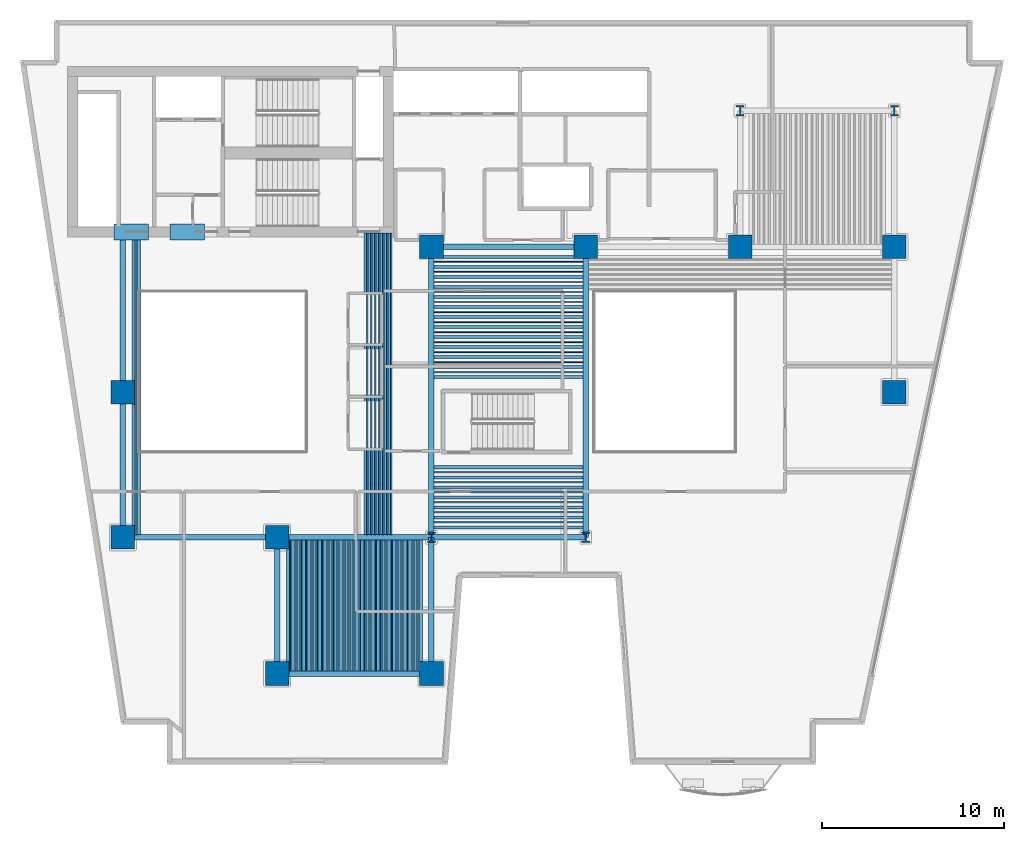
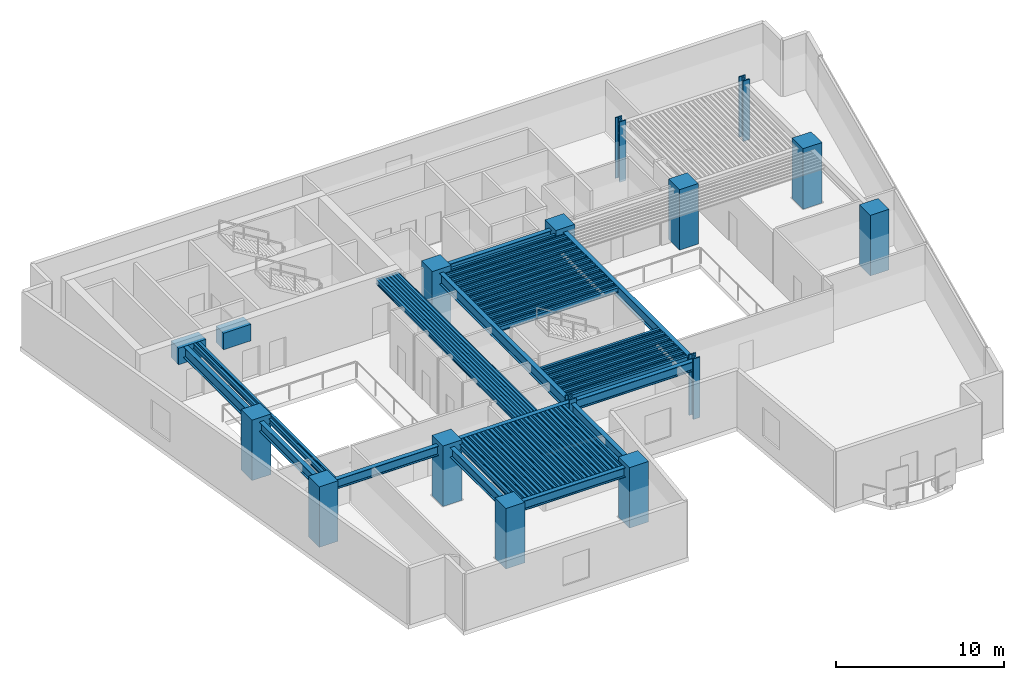
# One storey, part 1 of 11: 119 beams, 14 columns.
"""IFC4 building model written with IfcOpenShell, lengths in metres."""

from ifc_helpers import new_model, si_unit, direction, frame, origin, origin_2d, place, context, subcontext, project, spatial, rectangle, hollow_rectangle, i_section, extrude, material, material_profile, profile_set, type_object, element, save


model = new_model("IFC4")

# Units and contexts
model_context = context("Model", 3, precision=1e-05, world=origin(), true_north=direction((0.0, 1.0)))
body_context = subcontext(model_context, "Body", "Model", "MODEL_VIEW")
ifc_project = project(units=[si_unit("LENGTHUNIT", "METRE"), si_unit("AREAUNIT", "SQUARE_METRE"), si_unit("VOLUMEUNIT", "CUBIC_METRE"), si_unit("PLANEANGLEUNIT", "RADIAN"), si_unit("MASSUNIT", "GRAM", prefix="KILO")], contexts=[model_context])

# Site, building, storey
site_placement = place(None, origin())
site = spatial("IfcSite", under=ifc_project, at=site_placement, CompositionType="ELEMENT")
building_placement = place(site_placement, origin())
building = spatial("IfcBuilding", under=site, at=building_placement, Name="Caeloran Harvest Quay", CompositionType="ELEMENT")
storey_placement = place(building_placement, frame((0.0, 0.0, 66.60009765625)))
storey = spatial("IfcBuildingStorey", under=building, at=storey_placement, Name="L15", CompositionType="ELEMENT", Elevation=66.60009765625)

# Columns
ifc_material_1 = material(Name="Concrete C80/95", Category="concrete")
ifc_material_profile_1 = material_profile(ifc_material_1, rectangle(XDim=1.300048828125, YDim=1.300048828125, at=origin_2d()), Name="RC 1300x1300")
ifc_profile_set_1 = profile_set([ifc_material_profile_1], Name="Concrete C80/95")
column_type_1 = type_object("IfcColumnType", Name="COL-MC-2-RC_1300x1300", PredefinedType="COLUMN", material=ifc_profile_set_1)
for number, where, z_axis, x_axis, name in (
    (1, (8.5, 15.0, 0.0), (0.0, 0.0, 1.0), (1.0, 0.0, 0.0), "L15 Structural Column (8.5, 15.0)"),
    (2, (8.5, 23.0, 0.0), (0.0, 0.0, 1.0), (1.0, 0.0, 0.0), "L15 Structural Column (8.5, 23.0)"),
    (3, (17.0, 7.5, 0.0), (0.0, 0.0, 1.0), (1.0, 0.0, 0.0), "L15 Structural Column (17.0, 7.5)"),
    (4, (17.0, 15.0, 0.0), (0.0, 0.0, 1.0), (1.0, 0.0, 0.0), "L15 Structural Column (17.0, 15.0)"),
    (5, (25.5, 7.5, 0.0), (0.0, 0.0, 1.0), (1.0, 0.0, 0.0), "L15 Structural Column (25.5, 7.5)"),
    (6, (25.5, 31.0, 0.0), (0.0, 0.0, 1.0), (1.0, 0.0, 0.0), "L15 Structural Column (25.5, 31.0)"),
    (7, (34.0, 31.0, 0.0), (0.0, 0.0, 1.0), (1.0, 0.0, 0.0), "L15 Structural Column (34.0, 31.0)"),
    (8, (42.5, 31.0, 0.0), (0.0, 0.0, 1.0), (1.0, 0.0, 0.0), "L15 Structural Column (42.5, 31.0)"),
    (9, (51.0, 23.0, 0.0), (0.0, 0.0, 1.0), (1.0, 0.0, 0.0), "L15 Structural Column (51.0, 23.0)"),
    (10, (51.0, 31.0, 0.0), (0.0, 0.0, 1.0), (1.0, 0.0, 0.0), "L15 Structural Column (51.0, 31.0)"),
):
    element("IfcColumn", number, at=place(storey_placement, frame(where, z_axis=z_axis, x_axis=x_axis)), inside=storey, type_object=column_type_1, Name=name, PredefinedType="COLUMN", context=body_context, shape_type="SweptSolid", body=[
        extrude(rectangle(XDim=1.300048828125, YDim=1.300048828125, at=origin_2d()), origin(), (0.0, 0.0, 1.0), 4.39990234375),
    ])
ifc_material_2 = material(Name="Steel HISTAR 460", Category="steel")
ifc_material_profile_2 = material_profile(ifc_material_2, i_section(OverallWidth=0.4541015625, OverallDepth=0.569091796875, WebThickness=0.077880859375, FlangeThickness=0.080078125, FilletRadius=0.014892578125, at=origin_2d()), Name="HD 400x1086")
ifc_profile_set_2 = profile_set([ifc_material_profile_2], Name="Steel HISTAR 460")
column_type_2 = type_object("IfcColumnType", Name="COL-SC-1-HD_400x1086", PredefinedType="COLUMN", material=ifc_profile_set_2)
for number, where, z_axis, x_axis, name in (
    (11, (25.5, 15.0, 0.0), (0.0, 0.0, 1.0), (1.0, 0.0, 0.0), "L15 Structural Column (25.5, 15.0)"),
    (12, (34.0, 15.0, 0.0), (0.0, 0.0, 1.0), (1.0, 0.0, 0.0), "L15 Structural Column (34.0, 15.0)"),
    (13, (42.5, 38.5, 0.0), (0.0, 0.0, 1.0), (1.0, 0.0, 0.0), "L15 Structural Column (42.5, 38.5)"),
    (14, (51.0, 38.5, 0.0), (0.0, 0.0, 1.0), (1.0, 0.0, 0.0), "L15 Structural Column (51.0, 38.5)"),
):
    element("IfcColumn", number, at=place(storey_placement, frame(where, z_axis=z_axis, x_axis=x_axis)), inside=storey, type_object=column_type_2, Name=name, PredefinedType="COLUMN", context=body_context, shape_type="SweptSolid", body=[
        extrude(i_section(OverallWidth=0.4541015625, OverallDepth=0.569091796875, WebThickness=0.077880859375, FlangeThickness=0.080078125, FilletRadius=0.014892578125, at=origin_2d()), origin(), (0.0, 0.0, 1.0), 4.39990234375),
    ])

# Beams
ifc_material_profile_3 = material_profile(ifc_material_1, rectangle(XDim=0.89990234375, YDim=1.199951171875, at=origin_2d()), Name="RC 900x1200")
ifc_profile_set_3 = profile_set([ifc_material_profile_3], Name="Concrete C80/95")
beam_type_1 = type_object("IfcBeamType", Name="BM-CB-1-RC_900x1200", PredefinedType="LINTEL", material=ifc_profile_set_3)
for number, where, z_axis, x_axis, name in (
    (15, (8.0, 31.824951171875, 3.5), (1.0, 0.0, 0.0), (0.0, 1.0, 0.0), "L15 Core Coupling Beam 1"),
    (16, (11.10009765625, 31.824951171875, 3.5), (1.0, 0.0, 0.0), (0.0, 1.0, 0.0), "L15 Core Coupling Beam 2"),
):
    element("IfcBeam", number, at=place(storey_placement, frame(where, z_axis=z_axis, x_axis=x_axis)), inside=storey, type_object=beam_type_1, Name=name, PredefinedType="LINTEL", context=body_context, shape_type="SweptSolid", body=[
        extrude(rectangle(XDim=0.89990234375, YDim=1.199951171875, at=origin_2d()), origin(), (0.0, 0.0, 1.0), 1.89990234375),
    ])
ifc_material_3 = material(Name="Steel S355J2", Category="steel")
ifc_material_profile_4 = material_profile(ifc_material_3, i_section(OverallWidth=0.300048828125, OverallDepth=0.800048828125, WebThickness=0.017578125, FlangeThickness=0.032958984375, FilletRadius=0.030029296875, at=origin_2d()), Name="HE 800 B")
ifc_profile_set_4 = profile_set([ifc_material_profile_4], Name="Steel S355J2")
beam_type_2 = type_object("IfcBeamType", Name="BM-PG-1-HE_800_B", PredefinedType="BEAM", material=ifc_profile_set_4)
beam_1_placement = place(storey_placement, frame((8.5, 23.0, 3.699951171875), z_axis=(0.0, 1.0, 0.0), x_axis=(-1.0, 0.0, 0.0)))
element("IfcBeam", 17, at=beam_1_placement, inside=storey, type_object=beam_type_2, Name="L15 Core South Tie Girder X=8.5", PredefinedType="BEAM", context=body_context, shape_type="SweptSolid", body=[
    extrude(i_section(OverallWidth=0.300048828125, OverallDepth=0.800048828125, WebThickness=0.017578125, FlangeThickness=0.032958984375, FilletRadius=0.030029296875, at=origin_2d()), origin(), (0.0, 0.0, 1.0), 8.77490234375),
])
for number, where, z_axis, x_axis, name in (
    (18, (25.5, 15.0, 3.699951171875), (0.0, 1.0, 0.0), (-1.0, 0.0, 0.0), "L15 Primary North-South Girder X=25.5"),
    (19, (34.0, 15.0, 3.699951171875), (0.0, 1.0, 0.0), (-1.0, 0.0, 0.0), "L15 Primary North-South Girder X=34.0"),
):
    element("IfcBeam", number, at=place(storey_placement, frame(where, z_axis=z_axis, x_axis=x_axis)), inside=storey, type_object=beam_type_2, Name=name, PredefinedType="BEAM", context=body_context, shape_type="SweptSolid", body=[
        extrude(i_section(OverallWidth=0.300048828125, OverallDepth=0.800048828125, WebThickness=0.017578125, FlangeThickness=0.032958984375, FilletRadius=0.030029296875, at=origin_2d()), origin(), (0.0, 0.0, 1.0), 16.0),
    ])
ifc_material_profile_5 = material_profile(ifc_material_3, i_section(OverallWidth=0.300048828125, OverallDepth=0.699951171875, WebThickness=0.01708984375, FlangeThickness=0.031982421875, FilletRadius=0.027099609375, at=origin_2d()), Name="HE 700 B")
ifc_profile_set_5 = profile_set([ifc_material_profile_5], Name="Steel S355J2")
beam_type_3 = type_object("IfcBeamType", Name="BM-PG-2-HE_700_B", PredefinedType="BEAM", material=ifc_profile_set_5)
for number, where, z_axis, x_axis, name in (
    (20, (17.0, 7.5, 3.75), (1.0, 0.0, 0.0), (0.0, 1.0, 0.0), "L15 Primary East-West Girder Y=7.5"),
    (21, (8.5, 15.0, 3.75), (1.0, 0.0, 0.0), (0.0, 1.0, 0.0), "L15 Primary East-West Girder Y=15.0"),
    (22, (17.0, 15.0, 3.75), (1.0, 0.0, 0.0), (0.0, 1.0, 0.0), "L15 Primary East-West Girder Y=15.0"),
    (23, (25.5, 15.0, 3.75), (1.0, 0.0, 0.0), (0.0, 1.0, 0.0), "L15 Primary East-West Girder Y=15.0"),
    (24, (25.5, 31.0, 3.75), (1.0, 0.0, 0.0), (0.0, 1.0, 0.0), "L15 Primary East-West Girder Y=31.0"),
):
    element("IfcBeam", number, at=place(storey_placement, frame(where, z_axis=z_axis, x_axis=x_axis)), inside=storey, type_object=beam_type_3, Name=name, PredefinedType="BEAM", context=body_context, shape_type="SweptSolid", body=[
        extrude(i_section(OverallWidth=0.300048828125, OverallDepth=0.699951171875, WebThickness=0.01708984375, FlangeThickness=0.031982421875, FilletRadius=0.027099609375, at=origin_2d()), origin(), (0.0, 0.0, 1.0), 8.5),
    ])
beam_2_placement = place(storey_placement, frame((8.5, 15.0, 3.75), z_axis=(0.0, 1.0, 0.0), x_axis=(-1.0, 0.0, 0.0)))
element("IfcBeam", 25, at=beam_2_placement, inside=storey, type_object=beam_type_3, Name="L15 Primary North-South Girder X=8.5", PredefinedType="BEAM", context=body_context, shape_type="SweptSolid", body=[
    extrude(i_section(OverallWidth=0.300048828125, OverallDepth=0.699951171875, WebThickness=0.01708984375, FlangeThickness=0.031982421875, FilletRadius=0.027099609375, at=origin_2d()), origin(), (0.0, 0.0, 1.0), 8.0),
])
for number, where, z_axis, x_axis, name in (
    (26, (17.0, 7.5, 3.75), (0.0, 1.0, 0.0), (-1.0, 0.0, 0.0), "L15 Primary North-South Girder X=17.0"),
    (27, (25.5, 7.5, 3.75), (0.0, 1.0, 0.0), (-1.0, 0.0, 0.0), "L15 Primary North-South Girder X=25.5"),
):
    element("IfcBeam", number, at=place(storey_placement, frame(where, z_axis=z_axis, x_axis=x_axis)), inside=storey, type_object=beam_type_3, Name=name, PredefinedType="BEAM", context=body_context, shape_type="SweptSolid", body=[
        extrude(i_section(OverallWidth=0.300048828125, OverallDepth=0.699951171875, WebThickness=0.01708984375, FlangeThickness=0.031982421875, FilletRadius=0.027099609375, at=origin_2d()), origin(), (0.0, 0.0, 1.0), 7.5),
    ])
ifc_material_profile_6 = material_profile(ifc_material_3, i_section(OverallWidth=0.169921875, OverallDepth=0.360107421875, WebThickness=0.008056640625, FlangeThickness=0.0126953125, FilletRadius=0.01806640625, at=origin_2d()), Name="IPE 360")
ifc_profile_set_6 = profile_set([ifc_material_profile_6], Name="Steel S355J2")
beam_type_4 = type_object("IfcBeamType", Name="BM-SB-5-IPE_360", PredefinedType="JOIST", material=ifc_profile_set_6)
for number, where, z_axis, x_axis, name in (
    (28, (17.586181640625, 7.64501953125, 3.919921875), (0.0, 1.0, 0.0), (-1.0, 0.0, 0.0), "L15 Secondary Composite Joist"),
    (29, (17.87939453125, 7.64501953125, 3.919921875), (0.0, 1.0, 0.0), (-1.0, 0.0, 0.0), "L15 Secondary Composite Joist"),
    (30, (18.17236328125, 7.64501953125, 3.919921875), (0.0, 1.0, 0.0), (-1.0, 0.0, 0.0), "L15 Secondary Composite Joist"),
    (31, (18.465576171875, 7.64501953125, 3.919921875), (0.0, 1.0, 0.0), (-1.0, 0.0, 0.0), "L15 Secondary Composite Joist"),
    (32, (18.758544921875, 7.64501953125, 3.919921875), (0.0, 1.0, 0.0), (-1.0, 0.0, 0.0), "L15 Secondary Composite Joist"),
    (33, (19.0517578125, 7.64501953125, 3.919921875), (0.0, 1.0, 0.0), (-1.0, 0.0, 0.0), "L15 Secondary Composite Joist"),
    (34, (19.3447265625, 7.64501953125, 3.919921875), (0.0, 1.0, 0.0), (-1.0, 0.0, 0.0), "L15 Secondary Composite Joist"),
    (35, (19.637939453125, 7.64501953125, 3.919921875), (0.0, 1.0, 0.0), (-1.0, 0.0, 0.0), "L15 Secondary Composite Joist"),
    (36, (19.930908203125, 7.64501953125, 3.919921875), (0.0, 1.0, 0.0), (-1.0, 0.0, 0.0), "L15 Secondary Composite Joist"),
    (37, (20.22412109375, 7.64501953125, 3.919921875), (0.0, 1.0, 0.0), (-1.0, 0.0, 0.0), "L15 Secondary Composite Joist"),
    (38, (20.51708984375, 7.64501953125, 3.919921875), (0.0, 1.0, 0.0), (-1.0, 0.0, 0.0), "L15 Secondary Composite Joist"),
    (39, (20.810302734375, 7.64501953125, 3.919921875), (0.0, 1.0, 0.0), (-1.0, 0.0, 0.0), "L15 Secondary Composite Joist"),
    (40, (21.103515625, 7.64501953125, 3.919921875), (0.0, 1.0, 0.0), (-1.0, 0.0, 0.0), "L15 Secondary Composite Joist"),
    (41, (21.396484375, 7.64501953125, 3.919921875), (0.0, 1.0, 0.0), (-1.0, 0.0, 0.0), "L15 Secondary Composite Joist"),
    (42, (21.689697265625, 7.64501953125, 3.919921875), (0.0, 1.0, 0.0), (-1.0, 0.0, 0.0), "L15 Secondary Composite Joist"),
    (43, (21.98291015625, 7.64501953125, 3.919921875), (0.0, 1.0, 0.0), (-1.0, 0.0, 0.0), "L15 Secondary Composite Joist"),
    (44, (22.27587890625, 7.64501953125, 3.919921875), (0.0, 1.0, 0.0), (-1.0, 0.0, 0.0), "L15 Secondary Composite Joist"),
    (45, (22.569091796875, 7.64501953125, 3.919921875), (0.0, 1.0, 0.0), (-1.0, 0.0, 0.0), "L15 Secondary Composite Joist"),
    (46, (22.862060546875, 7.64501953125, 3.919921875), (0.0, 1.0, 0.0), (-1.0, 0.0, 0.0), "L15 Secondary Composite Joist"),
    (47, (23.1552734375, 7.64501953125, 3.919921875), (0.0, 1.0, 0.0), (-1.0, 0.0, 0.0), "L15 Secondary Composite Joist"),
    (48, (23.4482421875, 7.64501953125, 3.919921875), (0.0, 1.0, 0.0), (-1.0, 0.0, 0.0), "L15 Secondary Composite Joist"),
    (49, (23.741455078125, 7.64501953125, 3.919921875), (0.0, 1.0, 0.0), (-1.0, 0.0, 0.0), "L15 Secondary Composite Joist"),
    (50, (24.034423828125, 7.64501953125, 3.919921875), (0.0, 1.0, 0.0), (-1.0, 0.0, 0.0), "L15 Secondary Composite Joist"),
    (51, (24.32763671875, 7.64501953125, 3.919921875), (0.0, 1.0, 0.0), (-1.0, 0.0, 0.0), "L15 Secondary Composite Joist"),
    (52, (24.62060546875, 7.64501953125, 3.919921875), (0.0, 1.0, 0.0), (-1.0, 0.0, 0.0), "L15 Secondary Composite Joist"),
    (53, (24.913818359375, 7.64501953125, 3.919921875), (0.0, 1.0, 0.0), (-1.0, 0.0, 0.0), "L15 Secondary Composite Joist"),
):
    element("IfcBeam", number, at=place(storey_placement, frame(where, z_axis=z_axis, x_axis=x_axis)), inside=storey, type_object=beam_type_4, Name=name, PredefinedType="JOIST", context=body_context, shape_type="SweptSolid", body=[
        extrude(i_section(OverallWidth=0.169921875, OverallDepth=0.360107421875, WebThickness=0.008056640625, FlangeThickness=0.0126953125, FilletRadius=0.01806640625, at=origin_2d()), origin(), (0.0, 0.0, 1.0), 7.2099609375),
    ])
for number, where, z_axis, x_axis, name in (
    (54, (9.086181640625, 15.14501953125, 3.919921875), (0.0, 1.0, 0.0), (-1.0, 0.0, 0.0), "L15 Secondary Composite Joist"),
    (55, (9.37939453125, 15.14501953125, 3.919921875), (0.0, 1.0, 0.0), (-1.0, 0.0, 0.0), "L15 Secondary Composite Joist"),
    (56, (21.855224609375, 15.14501953125, 3.919921875), (0.0, 1.0, 0.0), (-1.0, 0.0, 0.0), "L15 Secondary Composite Joist"),
    (57, (22.075927734375, 15.14501953125, 3.919921875), (0.0, 1.0, 0.0), (-1.0, 0.0, 0.0), "L15 Secondary Composite Joist"),
    (58, (22.296630859375, 15.14501953125, 3.919921875), (0.0, 1.0, 0.0), (-1.0, 0.0, 0.0), "L15 Secondary Composite Joist"),
    (59, (22.51708984375, 15.14501953125, 3.919921875), (0.0, 1.0, 0.0), (-1.0, 0.0, 0.0), "L15 Secondary Composite Joist"),
    (60, (22.73779296875, 15.14501953125, 3.919921875), (0.0, 1.0, 0.0), (-1.0, 0.0, 0.0), "L15 Secondary Composite Joist"),
    (61, (22.95849609375, 15.14501953125, 3.919921875), (0.0, 1.0, 0.0), (-1.0, 0.0, 0.0), "L15 Secondary Composite Joist"),
    (62, (23.17919921875, 15.14501953125, 3.919921875), (0.0, 1.0, 0.0), (-1.0, 0.0, 0.0), "L15 Secondary Composite Joist"),
):
    element("IfcBeam", number, at=place(storey_placement, frame(where, z_axis=z_axis, x_axis=x_axis)), inside=storey, type_object=beam_type_4, Name=name, PredefinedType="JOIST", context=body_context, shape_type="SweptSolid", body=[
        extrude(i_section(OverallWidth=0.169921875, OverallDepth=0.360107421875, WebThickness=0.008056640625, FlangeThickness=0.0126953125, FilletRadius=0.01806640625, at=origin_2d()), origin(), (0.0, 0.0, 1.0), 16.6298828125),
    ])
for number, where, z_axis, x_axis, name in (
    (63, (25.64501953125, 15.5517578125, 3.919921875), (1.0, 0.0, 0.0), (0.0, 1.0, 0.0), "L15 Secondary East-West Composite Joist"),
    (64, (25.64501953125, 16.103515625, 3.919921875), (1.0, 0.0, 0.0), (0.0, 1.0, 0.0), "L15 Secondary East-West Composite Joist"),
    (65, (25.64501953125, 16.6552734375, 3.919921875), (1.0, 0.0, 0.0), (0.0, 1.0, 0.0), "L15 Secondary East-West Composite Joist"),
    (66, (25.64501953125, 17.206787109375, 3.919921875), (1.0, 0.0, 0.0), (0.0, 1.0, 0.0), "L15 Secondary East-West Composite Joist"),
    (67, (25.64501953125, 17.758544921875, 3.919921875), (1.0, 0.0, 0.0), (0.0, 1.0, 0.0), "L15 Secondary East-West Composite Joist"),
    (68, (25.64501953125, 18.310302734375, 3.919921875), (1.0, 0.0, 0.0), (0.0, 1.0, 0.0), "L15 Secondary East-West Composite Joist"),
    (69, (25.64501953125, 18.862060546875, 3.919921875), (1.0, 0.0, 0.0), (0.0, 1.0, 0.0), "L15 Secondary East-West Composite Joist"),
    (70, (25.64501953125, 23.82763671875, 3.919921875), (1.0, 0.0, 0.0), (0.0, 1.0, 0.0), "L15 Secondary East-West Composite Joist"),
    (71, (25.64501953125, 24.37939453125, 3.919921875), (1.0, 0.0, 0.0), (0.0, 1.0, 0.0), "L15 Secondary East-West Composite Joist"),
    (72, (25.64501953125, 24.930908203125, 3.919921875), (1.0, 0.0, 0.0), (0.0, 1.0, 0.0), "L15 Secondary East-West Composite Joist"),
    (73, (25.64501953125, 25.48291015625, 3.919921875), (1.0, 0.0, 0.0), (0.0, 1.0, 0.0), "L15 Secondary East-West Composite Joist"),
    (74, (25.64501953125, 26.034423828125, 3.919921875), (1.0, 0.0, 0.0), (0.0, 1.0, 0.0), "L15 Secondary East-West Composite Joist"),
    (75, (25.64501953125, 26.586181640625, 3.919921875), (1.0, 0.0, 0.0), (0.0, 1.0, 0.0), "L15 Secondary East-West Composite Joist"),
    (76, (25.64501953125, 27.137939453125, 3.919921875), (1.0, 0.0, 0.0), (0.0, 1.0, 0.0), "L15 Secondary East-West Composite Joist"),
    (77, (25.64501953125, 27.689697265625, 3.919921875), (1.0, 0.0, 0.0), (0.0, 1.0, 0.0), "L15 Secondary East-West Composite Joist"),
    (78, (25.64501953125, 28.241455078125, 3.919921875), (1.0, 0.0, 0.0), (0.0, 1.0, 0.0), "L15 Secondary East-West Composite Joist"),
    (79, (25.64501953125, 28.793212890625, 3.919921875), (1.0, 0.0, 0.0), (0.0, 1.0, 0.0), "L15 Secondary East-West Composite Joist"),
    (80, (25.64501953125, 29.3447265625, 3.919921875), (1.0, 0.0, 0.0), (0.0, 1.0, 0.0), "L15 Secondary East-West Composite Joist"),
    (81, (25.64501953125, 29.896484375, 3.919921875), (1.0, 0.0, 0.0), (0.0, 1.0, 0.0), "L15 Secondary East-West Composite Joist"),
    (82, (25.64501953125, 30.4482421875, 3.919921875), (1.0, 0.0, 0.0), (0.0, 1.0, 0.0), "L15 Secondary East-West Composite Joist"),
):
    element("IfcBeam", number, at=place(storey_placement, frame(where, z_axis=z_axis, x_axis=x_axis)), inside=storey, type_object=beam_type_4, Name=name, PredefinedType="JOIST", context=body_context, shape_type="SweptSolid", body=[
        extrude(i_section(OverallWidth=0.169921875, OverallDepth=0.360107421875, WebThickness=0.008056640625, FlangeThickness=0.0126953125, FilletRadius=0.01806640625, at=origin_2d()), origin(), (0.0, 0.0, 1.0), 8.2099609375),
    ])
ifc_material_profile_7 = material_profile(ifc_material_3, hollow_rectangle(XDim=0.080078125, YDim=0.199951171875, WallThickness=0.006103515625, InnerFilletRadius=0.006103515625, OuterFilletRadius=0.009033203125, at=origin_2d()), Name="RHS 200x80x6")
ifc_profile_set_7 = profile_set([ifc_material_profile_7], Name="Steel S355J2")
beam_type_5 = type_object("IfcBeamType", Name="BM-SB-7-RHS_200x80x6", PredefinedType="JOIST", material=ifc_profile_set_7)
for number, where, z_axis, x_axis, name in (
    (83, (17.73291015625, 7.64501953125, 4.0), (0.0, 1.0, 0.0), (-1.0, 0.0, 0.0), "L15 Secondary Composite Joist"),
    (84, (18.02587890625, 7.64501953125, 4.0), (0.0, 1.0, 0.0), (-1.0, 0.0, 0.0), "L15 Secondary Composite Joist"),
    (85, (18.319091796875, 7.64501953125, 4.0), (0.0, 1.0, 0.0), (-1.0, 0.0, 0.0), "L15 Secondary Composite Joist"),
    (86, (18.612060546875, 7.64501953125, 4.0), (0.0, 1.0, 0.0), (-1.0, 0.0, 0.0), "L15 Secondary Composite Joist"),
    (87, (18.9052734375, 7.64501953125, 4.0), (0.0, 1.0, 0.0), (-1.0, 0.0, 0.0), "L15 Secondary Composite Joist"),
    (88, (19.1982421875, 7.64501953125, 4.0), (0.0, 1.0, 0.0), (-1.0, 0.0, 0.0), "L15 Secondary Composite Joist"),
    (89, (19.491455078125, 7.64501953125, 4.0), (0.0, 1.0, 0.0), (-1.0, 0.0, 0.0), "L15 Secondary Composite Joist"),
    (90, (19.784423828125, 7.64501953125, 4.0), (0.0, 1.0, 0.0), (-1.0, 0.0, 0.0), "L15 Secondary Composite Joist"),
    (91, (20.07763671875, 7.64501953125, 4.0), (0.0, 1.0, 0.0), (-1.0, 0.0, 0.0), "L15 Secondary Composite Joist"),
    (92, (20.37060546875, 7.64501953125, 4.0), (0.0, 1.0, 0.0), (-1.0, 0.0, 0.0), "L15 Secondary Composite Joist"),
    (93, (20.663818359375, 7.64501953125, 4.0), (0.0, 1.0, 0.0), (-1.0, 0.0, 0.0), "L15 Secondary Composite Joist"),
    (94, (20.956787109375, 7.64501953125, 4.0), (0.0, 1.0, 0.0), (-1.0, 0.0, 0.0), "L15 Secondary Composite Joist"),
    (95, (21.25, 7.64501953125, 4.0), (0.0, 1.0, 0.0), (-1.0, 0.0, 0.0), "L15 Secondary Composite Joist"),
    (96, (21.543212890625, 7.64501953125, 4.0), (0.0, 1.0, 0.0), (-1.0, 0.0, 0.0), "L15 Secondary Composite Joist"),
    (97, (21.836181640625, 7.64501953125, 4.0), (0.0, 1.0, 0.0), (-1.0, 0.0, 0.0), "L15 Secondary Composite Joist"),
    (98, (22.12939453125, 7.64501953125, 4.0), (0.0, 1.0, 0.0), (-1.0, 0.0, 0.0), "L15 Secondary Composite Joist"),
    (99, (22.42236328125, 7.64501953125, 4.0), (0.0, 1.0, 0.0), (-1.0, 0.0, 0.0), "L15 Secondary Composite Joist"),
    (100, (22.715576171875, 7.64501953125, 4.0), (0.0, 1.0, 0.0), (-1.0, 0.0, 0.0), "L15 Secondary Composite Joist"),
    (101, (23.008544921875, 7.64501953125, 4.0), (0.0, 1.0, 0.0), (-1.0, 0.0, 0.0), "L15 Secondary Composite Joist"),
    (102, (23.3017578125, 7.64501953125, 4.0), (0.0, 1.0, 0.0), (-1.0, 0.0, 0.0), "L15 Secondary Composite Joist"),
    (103, (23.5947265625, 7.64501953125, 4.0), (0.0, 1.0, 0.0), (-1.0, 0.0, 0.0), "L15 Secondary Composite Joist"),
    (104, (23.887939453125, 7.64501953125, 4.0), (0.0, 1.0, 0.0), (-1.0, 0.0, 0.0), "L15 Secondary Composite Joist"),
    (105, (24.180908203125, 7.64501953125, 4.0), (0.0, 1.0, 0.0), (-1.0, 0.0, 0.0), "L15 Secondary Composite Joist"),
    (106, (24.47412109375, 7.64501953125, 4.0), (0.0, 1.0, 0.0), (-1.0, 0.0, 0.0), "L15 Secondary Composite Joist"),
    (107, (24.76708984375, 7.64501953125, 4.0), (0.0, 1.0, 0.0), (-1.0, 0.0, 0.0), "L15 Secondary Composite Joist"),
):
    element("IfcBeam", number, at=place(storey_placement, frame(where, z_axis=z_axis, x_axis=x_axis)), inside=storey, type_object=beam_type_5, Name=name, PredefinedType="JOIST", context=body_context, shape_type="SweptSolid", body=[
        extrude(hollow_rectangle(XDim=0.080078125, YDim=0.199951171875, WallThickness=0.006103515625, InnerFilletRadius=0.006103515625, OuterFilletRadius=0.009033203125, at=origin_2d()), origin(), (0.0, 0.0, 1.0), 7.2099609375),
    ])
for number, where, z_axis, x_axis, name in (
    (108, (9.23291015625, 15.14501953125, 4.0), (0.0, 1.0, 0.0), (-1.0, 0.0, 0.0), "L15 Secondary Composite Joist"),
    (109, (21.965576171875, 15.14501953125, 4.0), (0.0, 1.0, 0.0), (-1.0, 0.0, 0.0), "L15 Secondary Composite Joist"),
    (110, (22.186279296875, 15.14501953125, 4.0), (0.0, 1.0, 0.0), (-1.0, 0.0, 0.0), "L15 Secondary Composite Joist"),
    (111, (22.406982421875, 15.14501953125, 4.0), (0.0, 1.0, 0.0), (-1.0, 0.0, 0.0), "L15 Secondary Composite Joist"),
    (112, (22.627685546875, 15.14501953125, 4.0), (0.0, 1.0, 0.0), (-1.0, 0.0, 0.0), "L15 Secondary Composite Joist"),
    (113, (22.848388671875, 15.14501953125, 4.0), (0.0, 1.0, 0.0), (-1.0, 0.0, 0.0), "L15 Secondary Composite Joist"),
    (114, (23.069091796875, 15.14501953125, 4.0), (0.0, 1.0, 0.0), (-1.0, 0.0, 0.0), "L15 Secondary Composite Joist"),
    (115, (23.289794921875, 15.14501953125, 4.0), (0.0, 1.0, 0.0), (-1.0, 0.0, 0.0), "L15 Secondary Composite Joist"),
):
    element("IfcBeam", number, at=place(storey_placement, frame(where, z_axis=z_axis, x_axis=x_axis)), inside=storey, type_object=beam_type_5, Name=name, PredefinedType="JOIST", context=body_context, shape_type="SweptSolid", body=[
        extrude(hollow_rectangle(XDim=0.080078125, YDim=0.199951171875, WallThickness=0.006103515625, InnerFilletRadius=0.006103515625, OuterFilletRadius=0.009033203125, at=origin_2d()), origin(), (0.0, 0.0, 1.0), 16.6298828125),
    ])
for number, where, z_axis, x_axis, name in (
    (116, (25.64501953125, 15.82763671875, 4.0), (1.0, 0.0, 0.0), (0.0, 1.0, 0.0), "L15 Secondary East-West Composite Joist"),
    (117, (25.64501953125, 16.37939453125, 4.0), (1.0, 0.0, 0.0), (0.0, 1.0, 0.0), "L15 Secondary East-West Composite Joist"),
    (118, (25.64501953125, 16.930908203125, 4.0), (1.0, 0.0, 0.0), (0.0, 1.0, 0.0), "L15 Secondary East-West Composite Joist"),
    (119, (25.64501953125, 17.48291015625, 4.0), (1.0, 0.0, 0.0), (0.0, 1.0, 0.0), "L15 Secondary East-West Composite Joist"),
    (120, (25.64501953125, 18.034423828125, 4.0), (1.0, 0.0, 0.0), (0.0, 1.0, 0.0), "L15 Secondary East-West Composite Joist"),
    (121, (25.64501953125, 18.586181640625, 4.0), (1.0, 0.0, 0.0), (0.0, 1.0, 0.0), "L15 Secondary East-West Composite Joist"),
    (122, (25.64501953125, 24.103515625, 4.0), (1.0, 0.0, 0.0), (0.0, 1.0, 0.0), "L15 Secondary East-West Composite Joist"),
    (123, (25.64501953125, 24.6552734375, 4.0), (1.0, 0.0, 0.0), (0.0, 1.0, 0.0), "L15 Secondary East-West Composite Joist"),
    (124, (25.64501953125, 25.206787109375, 4.0), (1.0, 0.0, 0.0), (0.0, 1.0, 0.0), "L15 Secondary East-West Composite Joist"),
    (125, (25.64501953125, 25.758544921875, 4.0), (1.0, 0.0, 0.0), (0.0, 1.0, 0.0), "L15 Secondary East-West Composite Joist"),
    (126, (25.64501953125, 26.310302734375, 4.0), (1.0, 0.0, 0.0), (0.0, 1.0, 0.0), "L15 Secondary East-West Composite Joist"),
    (127, (25.64501953125, 26.862060546875, 4.0), (1.0, 0.0, 0.0), (0.0, 1.0, 0.0), "L15 Secondary East-West Composite Joist"),
    (128, (25.64501953125, 27.413818359375, 4.0), (1.0, 0.0, 0.0), (0.0, 1.0, 0.0), "L15 Secondary East-West Composite Joist"),
    (129, (25.64501953125, 27.965576171875, 4.0), (1.0, 0.0, 0.0), (0.0, 1.0, 0.0), "L15 Secondary East-West Composite Joist"),
    (130, (25.64501953125, 28.51708984375, 4.0), (1.0, 0.0, 0.0), (0.0, 1.0, 0.0), "L15 Secondary East-West Composite Joist"),
    (131, (25.64501953125, 29.069091796875, 4.0), (1.0, 0.0, 0.0), (0.0, 1.0, 0.0), "L15 Secondary East-West Composite Joist"),
    (132, (25.64501953125, 29.62060546875, 4.0), (1.0, 0.0, 0.0), (0.0, 1.0, 0.0), "L15 Secondary East-West Composite Joist"),
    (133, (25.64501953125, 30.17236328125, 4.0), (1.0, 0.0, 0.0), (0.0, 1.0, 0.0), "L15 Secondary East-West Composite Joist"),
):
    element("IfcBeam", number, at=place(storey_placement, frame(where, z_axis=z_axis, x_axis=x_axis)), inside=storey, type_object=beam_type_5, Name=name, PredefinedType="JOIST", context=body_context, shape_type="SweptSolid", body=[
        extrude(hollow_rectangle(XDim=0.080078125, YDim=0.199951171875, WallThickness=0.006103515625, InnerFilletRadius=0.006103515625, OuterFilletRadius=0.009033203125, at=origin_2d()), origin(), (0.0, 0.0, 1.0), 8.2099609375),
    ])

save(model, "model.ifc")
